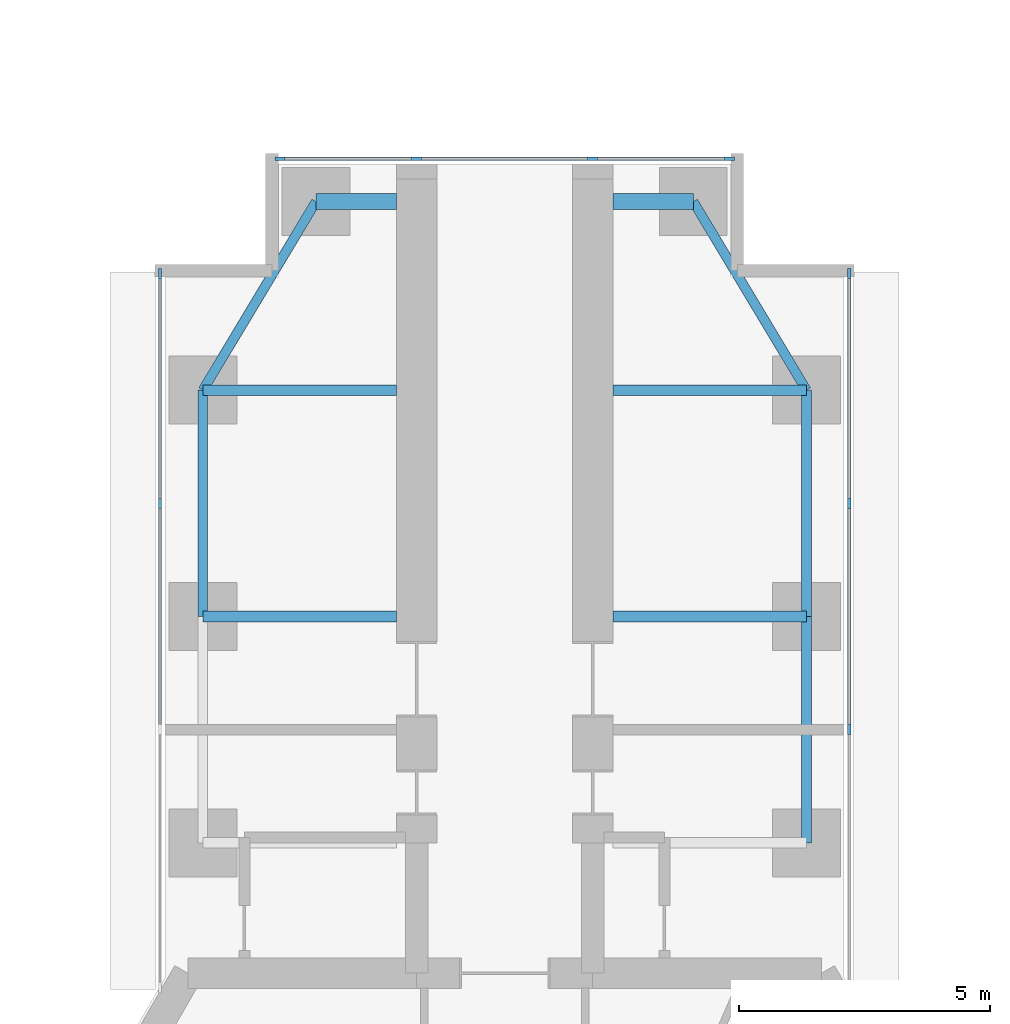
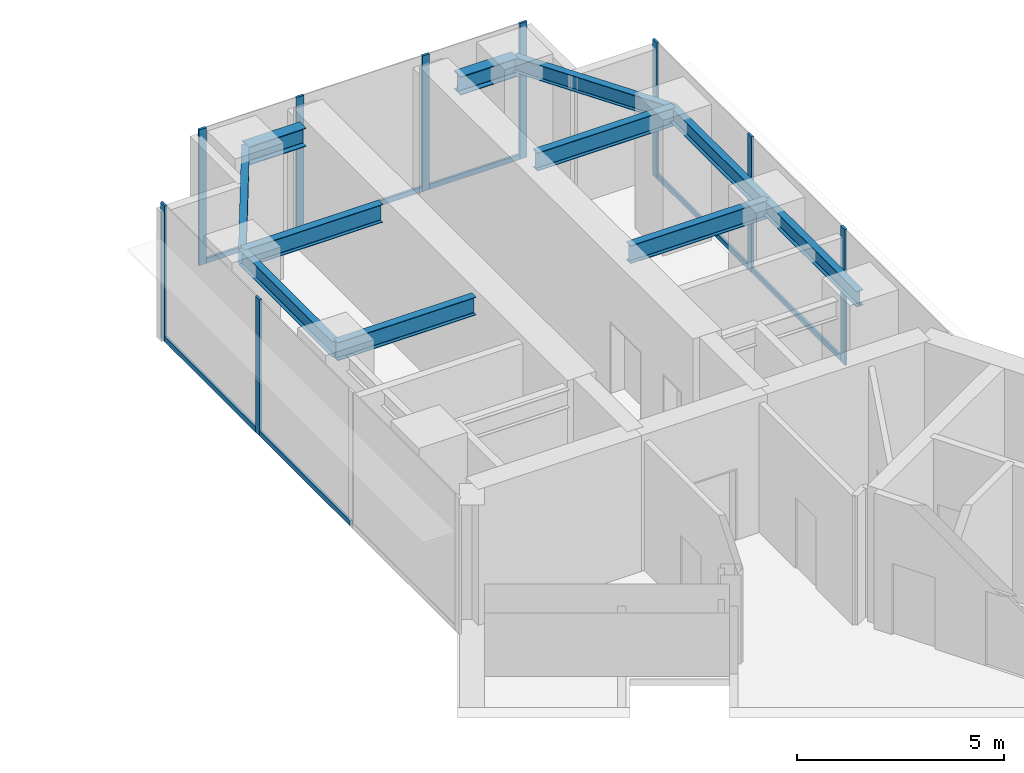
# One storey, part 12 of 21: 16 members, 11 beams, 3 elements without a shape of their own.
"""IFC4 building model written with IfcOpenShell, lengths in metres."""

from ifc_helpers import new_model, si_unit, direction, frame, origin, origin_2d, place, context, subcontext, project, spatial, rectangle, i_section, extrude, material, material_profile, profile_set, type_object, element, aggregate, save


model = new_model("IFC4")

# Units and contexts
model_context = context("Model", 3, precision=1e-05, world=origin(), true_north=direction((0.0, 1.0)))
body_context = subcontext(model_context, "Body", "Model", "MODEL_VIEW")
ifc_project = project(units=[si_unit("LENGTHUNIT", "METRE"), si_unit("AREAUNIT", "SQUARE_METRE"), si_unit("VOLUMEUNIT", "CUBIC_METRE"), si_unit("PLANEANGLEUNIT", "RADIAN"), si_unit("MASSUNIT", "GRAM", prefix="KILO")], contexts=[model_context])

# Site, building, storey
site_placement = place(None, origin())
site = spatial("IfcSite", under=ifc_project, at=site_placement, CompositionType="ELEMENT")
building_placement = place(site_placement, origin())
building = spatial("IfcBuilding", under=site, at=building_placement, Name="Upepo Twin Towers", CompositionType="ELEMENT")
storey_placement = place(building_placement, frame((0.0, 0.0, 109.5)))
storey = spatial("IfcBuildingStorey", under=building, at=storey_placement, Name="L26", CompositionType="ELEMENT", Elevation=109.5)

# Beams
ifc_material_1 = material(Name="Steel S355", Category="steel")
ifc_material_profile_1 = material_profile(ifc_material_1, i_section(OverallWidth=0.1904296875, OverallDepth=0.45703125, WebThickness=0.009033203125, FlangeThickness=0.014404296875, FilletRadius=0.01025390625, at=origin_2d()), Name="UB 457x191x74")
ifc_profile_set_1 = profile_set([ifc_material_profile_1], Name="Steel S355")
beam_type_1 = type_object("IfcBeamType", Name="Beam UB 457x191x74", PredefinedType="BEAM", material=ifc_profile_set_1)
beam_1_placement = place(storey_placement, frame((52.5, 0.0, 3.571533203125), z_axis=(0.0, 1.0, 0.0), x_axis=(-1.0, 0.0, 0.0)))
element("IfcBeam", 1, at=beam_1_placement, inside=storey, type_object=beam_type_1, Name="T2 edge beam AL 18.0-22.5", PredefinedType="BEAM", context=body_context, shape_type="SweptSolid", body=[
    extrude(i_section(OverallWidth=0.1904296875, OverallDepth=0.45703125, WebThickness=0.009033203125, FlangeThickness=0.014404296875, FilletRadius=0.01025390625, at=origin_2d()), origin(), (0.0, 0.0, 1.0), 4.5),
])
beam_2_placement = place(storey_placement, frame((52.5, 4.5, 3.571533203125), z_axis=(0.514495755428, 0.857492925713, 0.0), x_axis=(-0.857492925713, 0.514495755428, 0.0)))
element("IfcBeam", 2, at=beam_2_placement, inside=storey, type_object=beam_type_1, Name="T2 nose edge beam AL", PredefinedType="BEAM", context=body_context, shape_type="SweptSolid", body=[
    extrude(i_section(OverallWidth=0.1904296875, OverallDepth=0.45703125, WebThickness=0.009033203125, FlangeThickness=0.014404296875, FilletRadius=0.01025390625, at=origin_2d()), origin(), (0.0, 0.0, 1.0), 4.373291015625),
])
for number, where, z_axis, x_axis, name in (
    (3, (64.5, -4.5, 3.571533203125), (0.0, 1.0, 0.0), (-1.0, 0.0, 0.0), "T2 edge beam AR 13.5-18.0"),
    (4, (64.5, 0.0, 3.571533203125), (0.0, 1.0, 0.0), (-1.0, 0.0, 0.0), "T2 edge beam AR 18.0-22.5"),
):
    element("IfcBeam", number, at=place(storey_placement, frame(where, z_axis=z_axis, x_axis=x_axis)), inside=storey, type_object=beam_type_1, Name=name, PredefinedType="BEAM", context=body_context, shape_type="SweptSolid", body=[
        extrude(i_section(OverallWidth=0.1904296875, OverallDepth=0.45703125, WebThickness=0.009033203125, FlangeThickness=0.014404296875, FilletRadius=0.01025390625, at=origin_2d()), origin(), (0.0, 0.0, 1.0), 4.5),
    ])
beam_3_placement = place(storey_placement, frame((64.5, 4.5, 3.571533203125), z_axis=(-0.514495755428, 0.857492925713, 0.0), x_axis=(-0.857492925713, -0.514495755428, 0.0)))
element("IfcBeam", 5, at=beam_3_placement, inside=storey, type_object=beam_type_1, Name="T2 nose edge beam AR", PredefinedType="BEAM", context=body_context, shape_type="SweptSolid", body=[
    extrude(i_section(OverallWidth=0.1904296875, OverallDepth=0.45703125, WebThickness=0.009033203125, FlangeThickness=0.014404296875, FilletRadius=0.01025390625, at=origin_2d()), origin(), (0.0, 0.0, 1.0), 4.373291015625),
])
ifc_material_2 = material(Name="Steel S355", Category="steel")
ifc_material_profile_2 = material_profile(ifc_material_2, i_section(OverallWidth=0.209228515625, OverallDepth=0.533203125, WebThickness=0.010009765625, FlangeThickness=0.015625, FilletRadius=0.0126953125, at=origin_2d()), Name="UB 533x210x92")
ifc_profile_set_2 = profile_set([ifc_material_profile_2], Name="Steel S355")
beam_type_2 = type_object("IfcBeamType", Name="Beam UB 533x210x92", PredefinedType="BEAM", material=ifc_profile_set_2)
for number, where, z_axis, x_axis, name in (
    (6, (52.5, 0.0, 3.533447265625), (1.0, 0.0, 0.0), (0.0, 1.0, 0.0), "T2 girder AL at 18.0"),
    (7, (52.5, 4.5, 3.533447265625), (1.0, 0.0, 0.0), (0.0, 1.0, 0.0), "T2 girder AL at 22.5"),
    (8, (64.5, 0.0, 3.533447265625), (-1.0, 0.0, 0.0), (0.0, -1.0, 0.0), "T2 girder AR at 18.0"),
    (9, (64.5, 4.5, 3.533447265625), (-1.0, 0.0, 0.0), (0.0, -1.0, 0.0), "T2 girder AR at 22.5"),
):
    element("IfcBeam", number, at=place(storey_placement, frame(where, z_axis=z_axis, x_axis=x_axis)), inside=storey, type_object=beam_type_2, Name=name, PredefinedType="BEAM", context=body_context, shape_type="SweptSolid", body=[
        extrude(i_section(OverallWidth=0.209228515625, OverallDepth=0.533203125, WebThickness=0.010009765625, FlangeThickness=0.015625, FilletRadius=0.0126953125, at=origin_2d()), origin(), (0.0, 0.0, 1.0), 3.85009765625),
    ])
ifc_material_3 = material(Name="Steel S355", Category="steel")
ifc_material_profile_3 = material_profile(ifc_material_3, i_section(OverallWidth=0.31201171875, OverallDepth=0.54345703125, WebThickness=0.0126953125, FlangeThickness=0.020263671875, FilletRadius=0.0126953125, at=origin_2d()), Name="UB 533x312x150")
ifc_profile_set_3 = profile_set([ifc_material_profile_3], Name="Steel S355")
beam_type_3 = type_object("IfcBeamType", Name="Beam UB 533x312x150", PredefinedType="BEAM", material=ifc_profile_set_3)
for number, where, z_axis, x_axis, name in (
    (10, (54.75, 8.25, 3.5283203125), (1.0, 0.0, 0.0), (0.0, 1.0, 0.0), "T2 nose beam AL"),
    (11, (62.25, 8.25, 3.5283203125), (-1.0, 0.0, 0.0), (0.0, -1.0, 0.0), "T2 nose beam AR"),
):
    element("IfcBeam", number, at=place(storey_placement, frame(where, z_axis=z_axis, x_axis=x_axis)), inside=storey, type_object=beam_type_3, Name=name, PredefinedType="BEAM", context=body_context, shape_type="SweptSolid", body=[
        extrude(i_section(OverallWidth=0.31201171875, OverallDepth=0.54345703125, WebThickness=0.0126953125, FlangeThickness=0.020263671875, FilletRadius=0.0126953125, at=origin_2d()), origin(), (0.0, 0.0, 1.0), 1.60009765625),
    ])

# Curtain wall, members
ifc_material_4 = material(Name="Aluminium and fritted glass", Category="aluminium")
curtain_wall_type = type_object("IfcCurtainWallType", Name="Tower curtain wall TW2, fritted glass", PredefinedType="NOTDEFINED", material=ifc_material_4)
curtain_wall_1_placement = place(storey_placement, origin())
curtain_wall_1 = element("IfcCurtainWall", 12, at=curtain_wall_1_placement, inside=storey, type_object=curtain_wall_type, Name="T2 L26 wing A flank L curtain wall", PredefinedType="NOTDEFINED")
ifc_material_5 = material(Name="Aluminium mullion", Category="aluminium")
ifc_material_profile_4 = material_profile(ifc_material_5, rectangle(XDim=0.06494140625, YDim=0.199951171875, at=origin_2d()), Name="MULLION 65x200")
ifc_profile_set_4 = profile_set([ifc_material_profile_4], Name="Aluminium mullion")
member_type_1 = type_object("IfcMemberType", Name="Mullion 65x200 TW2", PredefinedType="MULLION", material=ifc_profile_set_4)
member_1_placement = place(storey_placement, frame((51.64990234375, 2.25, 0.0), z_axis=(0.0, 0.0, 1.0), x_axis=(-1.0, 0.0, 0.0)))
member_1 = element("IfcMember", 13, at=member_1_placement, type_object=member_type_1, Name="T2 L26 wing A flank L curtain wall mullion 3", PredefinedType="MULLION", context=body_context, shape_type="SweptSolid", body=[
    extrude(rectangle(XDim=0.06494140625, YDim=0.199951171875, at=origin_2d()), origin(), (0.0, 0.0, 1.0), 4.0),
])
member_2_placement = place(storey_placement, frame((51.64990234375, 6.8173828125, 0.0), z_axis=(0.0, 0.0, 1.0), x_axis=(-1.0, 0.0, 0.0)))
member_2 = element("IfcMember", 14, at=member_2_placement, type_object=member_type_1, Name="T2 L26 wing A flank L curtain wall mullion 4", PredefinedType="MULLION", context=body_context, shape_type="SweptSolid", body=[
    extrude(rectangle(XDim=0.06494140625, YDim=0.199951171875, at=origin_2d()), origin(), (0.0, 0.0, 1.0), 4.0),
])

curtain_wall_2_placement = place(storey_placement, origin())
curtain_wall_2 = element("IfcCurtainWall", 15, at=curtain_wall_2_placement, inside=storey, type_object=curtain_wall_type, Name="T2 L26 wing A flank R curtain wall", PredefinedType="NOTDEFINED")
member_3_placement = place(storey_placement, frame((65.35009765625, 6.8173828125, 0.0), z_axis=(0.0, 0.0, 1.0), x_axis=(1.0, 0.0, 0.0)))
member_3 = element("IfcMember", 16, at=member_3_placement, type_object=member_type_1, Name="T2 L26 wing A flank R curtain wall mullion 1", PredefinedType="MULLION", context=body_context, shape_type="SweptSolid", body=[
    extrude(rectangle(XDim=0.06494140625, YDim=0.199951171875, at=origin_2d()), origin(), (0.0, 0.0, 1.0), 4.0),
])
member_4_placement = place(storey_placement, frame((65.35009765625, 2.25, 0.0), z_axis=(0.0, 0.0, 1.0), x_axis=(1.0, 0.0, 0.0)))
member_4 = element("IfcMember", 17, at=member_4_placement, type_object=member_type_1, Name="T2 L26 wing A flank R curtain wall mullion 2", PredefinedType="MULLION", context=body_context, shape_type="SweptSolid", body=[
    extrude(rectangle(XDim=0.06494140625, YDim=0.199951171875, at=origin_2d()), origin(), (0.0, 0.0, 1.0), 4.0),
])
member_5_placement = place(storey_placement, frame((65.35009765625, -2.25, 0.0), z_axis=(0.0, 0.0, 1.0), x_axis=(1.0, 0.0, 0.0)))
member_5 = element("IfcMember", 18, at=member_5_placement, type_object=member_type_1, Name="T2 L26 wing A flank R curtain wall mullion 3", PredefinedType="MULLION", context=body_context, shape_type="SweptSolid", body=[
    extrude(rectangle(XDim=0.06494140625, YDim=0.199951171875, at=origin_2d()), origin(), (0.0, 0.0, 1.0), 4.0),
])

curtain_wall_3_placement = place(storey_placement, origin())
curtain_wall_3 = element("IfcCurtainWall", 19, at=curtain_wall_3_placement, inside=storey, type_object=curtain_wall_type, Name="T2 L26 wing A nose curtain wall", PredefinedType="NOTDEFINED")
member_6_placement = place(storey_placement, frame((62.967529296875, 9.10009765625, 0.0), z_axis=(0.0, 0.0, 1.0), x_axis=(0.0, -1.0, 0.0)))
member_6 = element("IfcMember", 20, at=member_6_placement, type_object=member_type_1, Name="T2 L26 wing A nose curtain wall mullion 1", PredefinedType="MULLION", context=body_context, shape_type="SweptSolid", body=[
    extrude(rectangle(XDim=0.06494140625, YDim=0.199951171875, at=origin_2d()), origin(), (0.0, 0.0, 1.0), 4.0),
])
member_7_placement = place(storey_placement, frame((60.25, 9.10009765625, 0.0), z_axis=(0.0, 0.0, 1.0), x_axis=(0.0, -1.0, 0.0)))
member_7 = element("IfcMember", 21, at=member_7_placement, type_object=member_type_1, Name="T2 L26 wing A nose curtain wall mullion 2", PredefinedType="MULLION", context=body_context, shape_type="SweptSolid", body=[
    extrude(rectangle(XDim=0.06494140625, YDim=0.199951171875, at=origin_2d()), origin(), (0.0, 0.0, 1.0), 4.0),
])
member_8_placement = place(storey_placement, frame((56.75, 9.10009765625, 0.0), z_axis=(0.0, 0.0, 1.0), x_axis=(0.0, -1.0, 0.0)))
member_8 = element("IfcMember", 22, at=member_8_placement, type_object=member_type_1, Name="T2 L26 wing A nose curtain wall mullion 3", PredefinedType="MULLION", context=body_context, shape_type="SweptSolid", body=[
    extrude(rectangle(XDim=0.06494140625, YDim=0.199951171875, at=origin_2d()), origin(), (0.0, 0.0, 1.0), 4.0),
])
member_9_placement = place(storey_placement, frame((54.032470703125, 9.10009765625, 0.0), z_axis=(0.0, 0.0, 1.0), x_axis=(0.0, -1.0, 0.0)))
member_9 = element("IfcMember", 23, at=member_9_placement, type_object=member_type_1, Name="T2 L26 wing A nose curtain wall mullion 4", PredefinedType="MULLION", context=body_context, shape_type="SweptSolid", body=[
    extrude(rectangle(XDim=0.06494140625, YDim=0.199951171875, at=origin_2d()), origin(), (0.0, 0.0, 1.0), 4.0),
])

# Member
ifc_material_6 = material(Name="Aluminium transom", Category="aluminium")
ifc_material_profile_5 = material_profile(ifc_material_6, rectangle(XDim=0.06494140625, YDim=0.14990234375, at=origin_2d()), Name="TRANSOM 65x150")
ifc_profile_set_5 = profile_set([ifc_material_profile_5], Name="Aluminium transom")
member_type_2 = type_object("IfcMemberType", Name="Transom 65x150 TW2", PredefinedType="USERDEFINED", material=ifc_profile_set_5)
member_10_placement = place(storey_placement, frame((51.64990234375, -2.217529296875, 0.074951171875), z_axis=(0.0, 1.0, 0.0), x_axis=(-1.0, 0.0, 0.0)))
member_10 = element("IfcMember", 24, at=member_10_placement, type_object=member_type_2, Name="T2 L26 wing A flank L curtain wall transom 2", ObjectType="TRANSOM", PredefinedType="USERDEFINED", context=body_context, shape_type="SweptSolid", body=[
    extrude(rectangle(XDim=0.06494140625, YDim=0.14990234375, at=origin_2d()), origin(), (0.0, 0.0, 1.0), 4.43505859375),
])

member_11_placement = place(storey_placement, frame((51.64990234375, 2.282470703125, 0.074951171875), z_axis=(0.0, 1.0, 0.0), x_axis=(-1.0, 0.0, 0.0)))
member_11 = element("IfcMember", 25, at=member_11_placement, type_object=member_type_2, Name="T2 L26 wing A flank L curtain wall transom 3", ObjectType="TRANSOM", PredefinedType="USERDEFINED", context=body_context, shape_type="SweptSolid", body=[
    extrude(rectangle(XDim=0.06494140625, YDim=0.14990234375, at=origin_2d()), origin(), (0.0, 0.0, 1.0), 4.50244140625),
])

aggregate(curtain_wall_1, [member_1, member_2, member_10, member_11])

member_12_placement = place(storey_placement, frame((65.35009765625, 6.784912109375, 0.074951171875), z_axis=(0.0, -1.0, 0.0), x_axis=(1.0, 0.0, 0.0)))
member_12 = element("IfcMember", 26, at=member_12_placement, type_object=member_type_2, Name="T2 L26 wing A flank R curtain wall transom 1", ObjectType="TRANSOM", PredefinedType="USERDEFINED", context=body_context, shape_type="SweptSolid", body=[
    extrude(rectangle(XDim=0.06494140625, YDim=0.14990234375, at=origin_2d()), origin(), (0.0, 0.0, 1.0), 4.50244140625),
])

member_13_placement = place(storey_placement, frame((65.35009765625, 2.217529296875, 0.074951171875), z_axis=(0.0, -1.0, 0.0), x_axis=(1.0, 0.0, 0.0)))
member_13 = element("IfcMember", 27, at=member_13_placement, type_object=member_type_2, Name="T2 L26 wing A flank R curtain wall transom 2", ObjectType="TRANSOM", PredefinedType="USERDEFINED", context=body_context, shape_type="SweptSolid", body=[
    extrude(rectangle(XDim=0.06494140625, YDim=0.14990234375, at=origin_2d()), origin(), (0.0, 0.0, 1.0), 4.43505859375),
])

aggregate(curtain_wall_2, [member_3, member_4, member_5, member_12, member_13])

member_14_placement = place(storey_placement, frame((62.93505859375, 9.10009765625, 0.074951171875), z_axis=(-1.0, 0.0, 0.0), x_axis=(0.0, -1.0, 0.0)))
member_14 = element("IfcMember", 28, at=member_14_placement, type_object=member_type_2, Name="T2 L26 wing A nose curtain wall transom 1", ObjectType="TRANSOM", PredefinedType="USERDEFINED", context=body_context, shape_type="SweptSolid", body=[
    extrude(rectangle(XDim=0.06494140625, YDim=0.14990234375, at=origin_2d()), origin(), (0.0, 0.0, 1.0), 2.652587890625),
])

member_15_placement = place(storey_placement, frame((60.217529296875, 9.10009765625, 0.074951171875), z_axis=(-1.0, 0.0, 0.0), x_axis=(0.0, -1.0, 0.0)))
member_15 = element("IfcMember", 29, at=member_15_placement, type_object=member_type_2, Name="T2 L26 wing A nose curtain wall transom 2", ObjectType="TRANSOM", PredefinedType="USERDEFINED", context=body_context, shape_type="SweptSolid", body=[
    extrude(rectangle(XDim=0.06494140625, YDim=0.14990234375, at=origin_2d()), origin(), (0.0, 0.0, 1.0), 3.43505859375),
])

member_16_placement = place(storey_placement, frame((56.717529296875, 9.10009765625, 0.074951171875), z_axis=(-1.0, 0.0, 0.0), x_axis=(0.0, -1.0, 0.0)))
member_16 = element("IfcMember", 30, at=member_16_placement, type_object=member_type_2, Name="T2 L26 wing A nose curtain wall transom 3", ObjectType="TRANSOM", PredefinedType="USERDEFINED", context=body_context, shape_type="SweptSolid", body=[
    extrude(rectangle(XDim=0.06494140625, YDim=0.14990234375, at=origin_2d()), origin(), (0.0, 0.0, 1.0), 2.652587890625),
])

aggregate(curtain_wall_3, [member_6, member_7, member_8, member_9, member_14, member_15, member_16])

save(model, "model.ifc")
